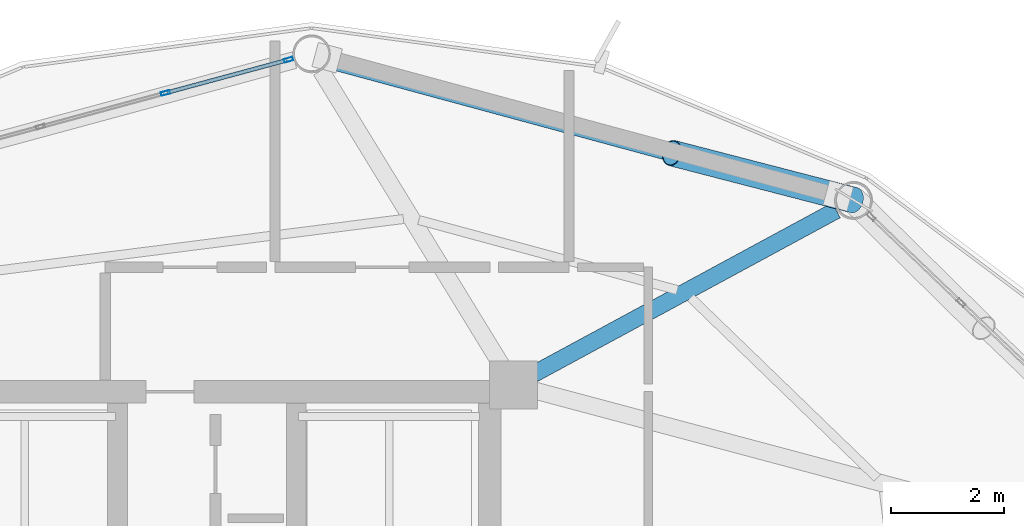
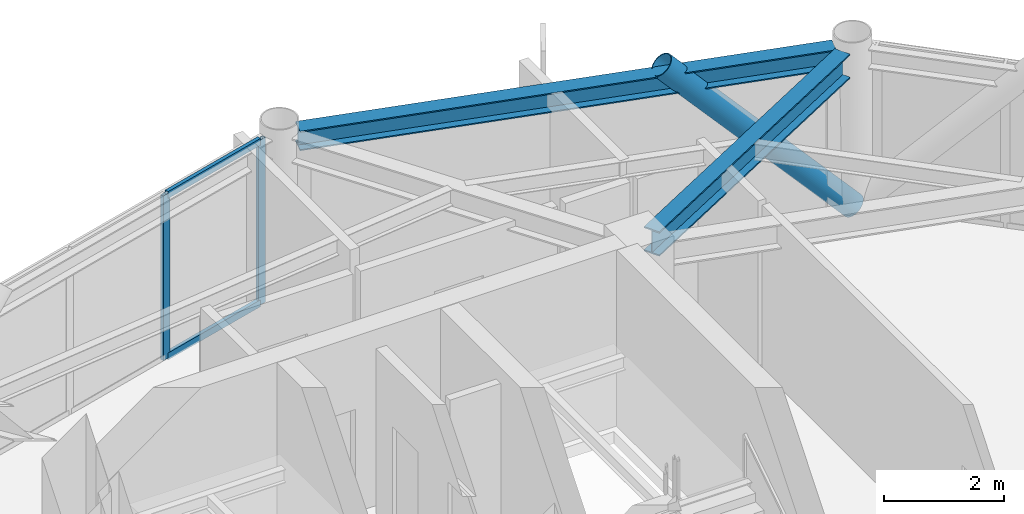
# One storey, part 20 of 28: 5 members, 2 beams, 1 element without a shape of its own.
"""IFC4 building model written with IfcOpenShell, lengths in metres."""

from ifc_helpers import new_model, si_unit, direction, frame, origin, origin_2d, place, context, subcontext, project, spatial, hollow_rectangle, hollow_circle, i_section, extrude, material, layer, layer_set, material_profile, profile_set, type_object, element, aggregate, save


model = new_model("IFC4")

# Units and contexts
model_context = context("Model", 3, precision=1e-05, world=origin(), true_north=direction((0.0, 1.0)))
body_context = subcontext(model_context, "Body", "Model", "MODEL_VIEW")
ifc_project = project(units=[si_unit("LENGTHUNIT", "METRE"), si_unit("AREAUNIT", "SQUARE_METRE"), si_unit("VOLUMEUNIT", "CUBIC_METRE"), si_unit("PLANEANGLEUNIT", "RADIAN"), si_unit("MASSUNIT", "GRAM", prefix="KILO")], contexts=[model_context])

# Site, building, storey
site_placement = place(None, origin())
site = spatial("IfcSite", under=ifc_project, at=site_placement, CompositionType="ELEMENT")
building_placement = place(site_placement, origin())
building = spatial("IfcBuilding", under=site, at=building_placement, Name="Varnakorn Sky Granary", CompositionType="ELEMENT")
storey_placement = place(building_placement, frame((0.0, 0.0, 204.0)))
storey = spatial("IfcBuildingStorey", under=building, at=storey_placement, Name="L51", CompositionType="ELEMENT", Elevation=204.0)

# Beams
ifc_material_1 = material(Name="Steel S355JR", Category="steel")
ifc_material_profile_1 = material_profile(ifc_material_1, i_section(OverallWidth=0.300048828125, OverallDepth=0.5, WebThickness=0.014404296875, FlangeThickness=0.028076171875, at=origin_2d()), Name="HE 500 B")
ifc_profile_set_1 = profile_set([ifc_material_profile_1], Name="Steel S355JR")
beam_type_1 = type_object("IfcBeamType", Name="BM-RAD-Z4", PredefinedType="BEAM", material=ifc_profile_set_1)
beam_1_placement = place(storey_placement, frame((8.776123046875, 12.812744140625, 3.110107421875), z_axis=(0.879518108792, 0.475865418271, 0.0), x_axis=(-0.475865418271, 0.879518108792, 0.0)))
element("IfcBeam", 1, at=beam_1_placement, inside=storey, type_object=beam_type_1, Name="Radial Floor Girder RG03 L51", PredefinedType="BEAM", context=body_context, shape_type="SweptSolid", body=[
    extrude(i_section(OverallWidth=0.300048828125, OverallDepth=0.5, WebThickness=0.014404296875, FlangeThickness=0.028076171875, at=origin_2d()), origin(), (0.0, 0.0, 1.0), 6.082275390625),
])
ifc_material_profile_2 = material_profile(ifc_material_1, i_section(OverallWidth=0.300048828125, OverallDepth=0.39990234375, WebThickness=0.013427734375, FlangeThickness=0.02392578125, at=origin_2d()), Name="HE 400 B")
ifc_profile_set_2 = profile_set([ifc_material_profile_2], Name="Steel S355JR")
beam_type_2 = type_object("IfcBeamType", Name="BM-SPD-Z4", PredefinedType="SPANDREL", material=ifc_profile_set_2)
beam_2_placement = place(storey_placement, frame((14.098388671875, 15.939208984375, 3.159912109375), z_axis=(-0.965201438715, 0.261507519399, 0.0), x_axis=(-0.261507519399, -0.965201438715, 0.0)))
element("IfcBeam", 2, at=beam_2_placement, inside=storey, type_object=beam_type_2, Name="Perimeter Spandrel Ring Beam RB03 L51", PredefinedType="SPANDREL", context=body_context, shape_type="SweptSolid", body=[
    extrude(i_section(OverallWidth=0.300048828125, OverallDepth=0.39990234375, WebThickness=0.013427734375, FlangeThickness=0.02392578125, at=origin_2d()), origin(), (0.0, 0.0, 1.0), 9.266845703125),
])

# Curtain wall, members
ifc_material_2 = material(Name="Anodised Bronze Aluminium Alloy 6063-T6", Category="aluminium")
ifc_layer = layer(ifc_material_2, 0.169921875, Name="Anodised Bronze Aluminium Alloy 6063-T6")
ifc_layer_set = layer_set([ifc_layer], Name="Anodised Bronze Aluminium Alloy 6063-T6")
curtain_wall_type = type_object("IfcCurtainWallType", Name="CW-LAB-1", PredefinedType="USERDEFINED", material=ifc_layer_set)
curtain_wall_placement = place(storey_placement, origin())
curtain_wall = element("IfcCurtainWall", 3, at=curtain_wall_placement, inside=storey, type_object=curtain_wall_type, Name="Unitised Curtain Wall CW5 CW-L51-B04", ObjectType="CURTAIN WALL", PredefinedType="USERDEFINED")
ifc_material_profile_3 = material_profile(ifc_material_2, hollow_rectangle(XDim=0.06494140625, YDim=0.159912109375, WallThickness=0.00341796875, at=origin_2d()), Name="ALU MULL 65x160")
ifc_profile_set_3 = profile_set([ifc_material_profile_3], Name="Anodised Bronze Aluminium Alloy 6063-T6")
member_type_1 = type_object("IfcMemberType", Name="CW-LAB-1-MULL", PredefinedType="MULLION", material=ifc_profile_set_3)
member_1_placement = place(storey_placement, frame((2.26513671875, 17.780029296875, 0.0), z_axis=(0.0, 0.0, 1.0), x_axis=(-0.261068663342, 0.965320233405, 0.0)))
member_1 = element("IfcMember", 4, at=member_1_placement, type_object=member_type_1, Name="CW5 mullion 4", PredefinedType="MULLION", context=body_context, shape_type="SweptSolid", body=[
    extrude(hollow_rectangle(XDim=0.06494140625, YDim=0.159912109375, WallThickness=0.00341796875, at=origin_2d()), origin(), (0.0, 0.0, 1.0), 3.360107421875),
])
member_2_placement = place(storey_placement, frame((4.442138671875, 18.36865234375, 0.0), z_axis=(0.0, 0.0, 1.0), x_axis=(-0.261068663342, 0.965320233405, 0.0)))
member_2 = element("IfcMember", 5, at=member_2_placement, type_object=member_type_1, Name="CW5 mullion 5", PredefinedType="MULLION", context=body_context, shape_type="SweptSolid", body=[
    extrude(hollow_rectangle(XDim=0.06494140625, YDim=0.159912109375, WallThickness=0.00341796875, at=origin_2d()), origin(), (0.0, 0.0, 1.0), 3.360107421875),
])
ifc_material_profile_4 = material_profile(ifc_material_2, hollow_rectangle(XDim=0.070068359375, YDim=0.139892578125, WallThickness=0.00341796875, at=origin_2d()), Name="ALU TRAN 70x140")
ifc_profile_set_4 = profile_set([ifc_material_profile_4], Name="Anodised Bronze Aluminium Alloy 6063-T6")
member_type_2 = type_object("IfcMemberType", Name="CW-LAB-1-TRAN", PredefinedType="USERDEFINED", material=ifc_profile_set_4)
member_3_placement = place(storey_placement, frame((2.29638671875, 17.788330078125, 0.034912109375), z_axis=(0.965294309576, 0.261164499693, 0.0), x_axis=(-0.261164499693, 0.965294309576, 0.0)))
member_3 = element("IfcMember", 6, at=member_3_placement, type_object=member_type_2, Name="CW5 transom 4.1", ObjectType="TRANSOM", PredefinedType="USERDEFINED", context=body_context, shape_type="SweptSolid", body=[
    extrude(hollow_rectangle(XDim=0.070068359375, YDim=0.139892578125, WallThickness=0.00341796875, at=origin_2d()), origin(), (0.0, 0.0, 1.0), 2.190185546875),
])
member_4_placement = place(storey_placement, frame((2.29638671875, 17.788330078125, 3.324951171875), z_axis=(0.965294309576, 0.261164499693, 0.0), x_axis=(-0.261164499693, 0.965294309576, 0.0)))
member_4 = element("IfcMember", 7, at=member_4_placement, type_object=member_type_2, Name="CW5 transom 4.2", ObjectType="TRANSOM", PredefinedType="USERDEFINED", context=body_context, shape_type="SweptSolid", body=[
    extrude(hollow_rectangle(XDim=0.070068359375, YDim=0.139892578125, WallThickness=0.00341796875, at=origin_2d()), origin(), (0.0, 0.0, 1.0), 2.190185546875),
])
aggregate(curtain_wall, [member_1, member_2, member_3, member_4])

# Member
ifc_material_3 = material(Name="Steel S460M", Category="steel")
ifc_material_profile_5 = material_profile(ifc_material_3, hollow_circle(Radius=0.228515625, WallThickness=0.01611328125, at=origin_2d()), Name="CHS 457x16")
ifc_profile_set_5 = profile_set([ifc_material_profile_5], Name="Steel S460M")
member_type_3 = type_object("IfcMemberType", Name="MB-DIAG-T3", PredefinedType="BRACE", material=ifc_profile_set_5)
member_5_placement = place(storey_placement, frame((14.4365234375, 15.886474609375, 0.0), z_axis=(-0.667707226274, 0.172827875592, 0.724083962949), x_axis=(-0.250579831975, -0.968095939361, 0.0)))
element("IfcMember", 8, at=member_5_placement, inside=storey, type_object=member_type_3, Name="Perimeter CHS Diagrid Brace DG03 L51", PredefinedType="BRACE", context=body_context, shape_type="SweptSolid", body=[
    extrude(hollow_circle(Radius=0.228515625, WallThickness=0.01611328125, at=origin_2d()), origin(), (0.0, 0.0, 1.0), 4.81982421875),
])

save(model, "model.ifc")
